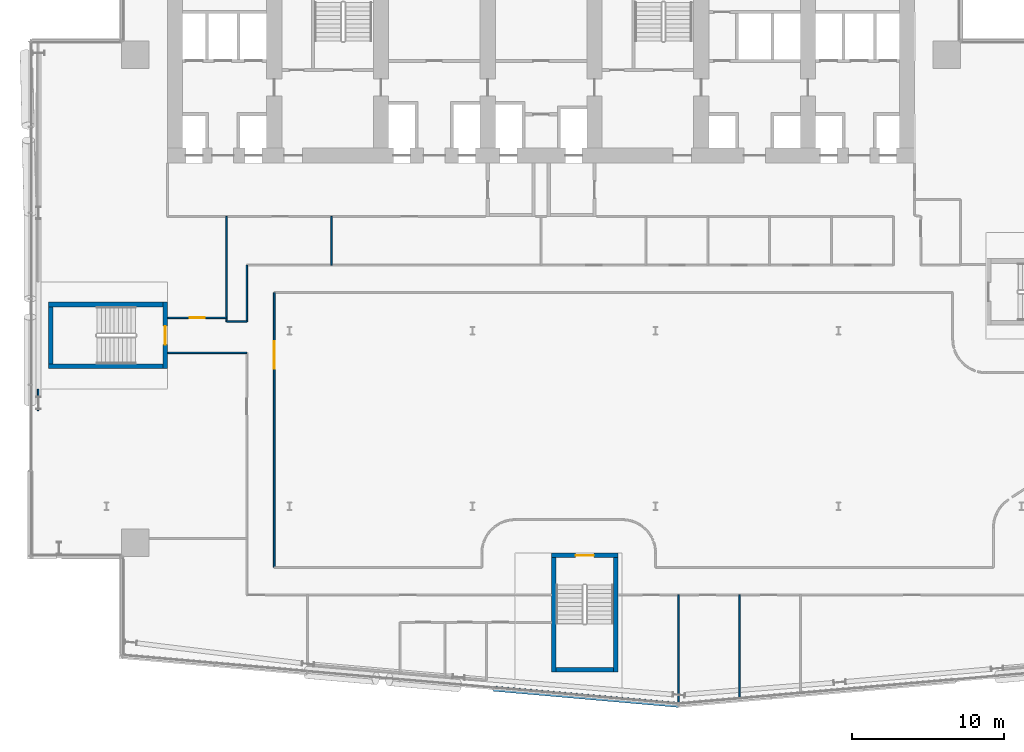
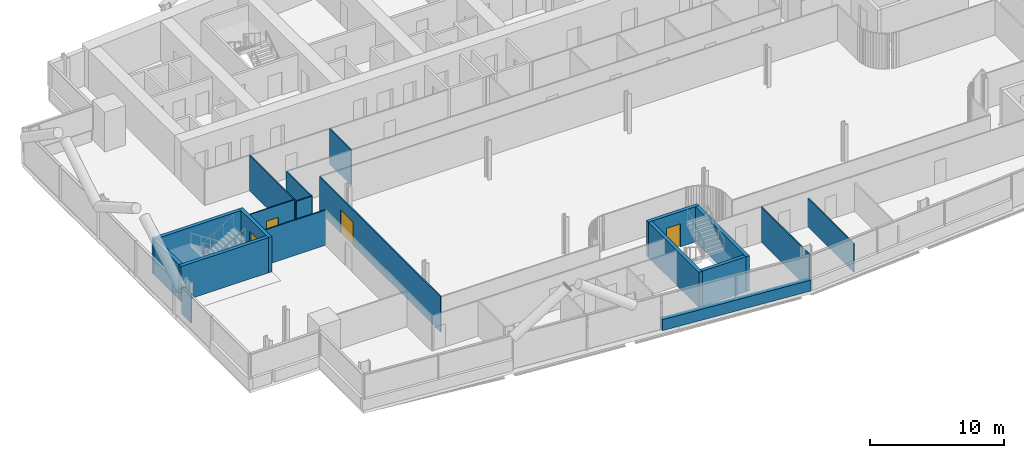
# One storey, part 15 of 30: 19 walls, 4 doors, 4 openings.
"""IFC4 building model written with IfcOpenShell, lengths in metres."""

from ifc_helpers import new_model, si_unit, direction, frame, frame_2d, origin, place, context, subcontext, project, spatial, rectangle, extrude, material, layer, layer_set, type_object, element, fill, save


model = new_model("IFC4")

# Units and contexts
model_context = context("Model", 3, precision=1e-05, world=origin(), true_north=direction((0.0, 1.0)))
body_context = subcontext(model_context, "Body", "Model", "MODEL_VIEW")
ifc_project = project(units=[si_unit("LENGTHUNIT", "METRE"), si_unit("AREAUNIT", "SQUARE_METRE"), si_unit("VOLUMEUNIT", "CUBIC_METRE"), si_unit("PLANEANGLEUNIT", "RADIAN"), si_unit("MASSUNIT", "GRAM", prefix="KILO")], contexts=[model_context])

# Site, building, storey
site_placement = place(None, origin())
site = spatial("IfcSite", under=ifc_project, at=site_placement, CompositionType="ELEMENT")
building_placement = place(site_placement, origin())
building = spatial("IfcBuilding", under=site, at=building_placement, Name="Wharfspan Tower", CompositionType="ELEMENT")
storey_placement = place(building_placement, frame((0.0, 0.0, 100.300049)))
storey = spatial("IfcBuildingStorey", under=building, at=storey_placement, Name="L22", CompositionType="ELEMENT", Elevation=100.300049)

# Wall
ifc_material_1 = material(Name="Gypsum board on steel studs", Category="steel")
ifc_layer_1 = layer(ifc_material_1, 0.100098)
ifc_layer_set_1 = layer_set([ifc_layer_1], Name="Gypsum board on steel studs")
wall_type_1 = type_object("IfcWallType", Name="Compartment wall 100 EI 60", PredefinedType="PARTITIONING", material=ifc_layer_set_1)
wall_1_placement = place(storey_placement, frame((16.02002, 21.550049, 0.0), z_axis=(0.0, 0.0, 1.0), x_axis=(1.0, 0.0, 0.0)))
element("IfcWall", 1, at=wall_1_placement, inside=storey, type_object=wall_type_1, Name="Partition L22.w006", PredefinedType="PARTITIONING", context=body_context, shape_type="SweptSolid", body=[
    extrude(rectangle(XDim=5.179932, YDim=0.100098, at=frame_2d((2.589844, 0.0))), origin(), (0.0, 0.0, 1.0), 3.199951),
])

# Wall, opening, door
wall_2_placement = place(storey_placement, frame((16.02002, 23.850098, 0.0), z_axis=(0.0, 0.0, 1.0), x_axis=(1.0, 0.0, 0.0)))
wall_2 = element("IfcWall", 2, at=wall_2_placement, inside=storey, type_object=wall_type_1, Name="Partition L22.w007", PredefinedType="PARTITIONING", context=body_context, shape_type="SweptSolid", body=[
    extrude(rectangle(XDim=3.85498, YDim=0.100098, at=frame_2d((1.92749, 0.0))), origin(), (0.0, 0.0, 1.0), 3.199951),
])
opening_1_placement = place(wall_2_placement, frame((1.435059, 0.0, 0.0)))
opening_1 = element("IfcOpeningElement", 3, at=opening_1_placement, cuts=wall_2, Name="Opening B2-13", PredefinedType="OPENING", context=body_context, shape_type="SweptSolid", body=[
    extrude(rectangle(XDim=1.0, YDim=2.100098, at=frame_2d((0.5, 1.050049))), frame((0.0, 0.060059, 0.0), z_axis=(0.0, -1.0, 0.0), x_axis=(1.0, 0.0, 0.0)), (0.0, 0.0, 1.0), 0.120117),
])
ifc_material_2 = material(Name="Fire-rated timber door leaf in steel frame", Category="steel")
door_type_1 = type_object("IfcDoorType", Name="Door 1000 FD30S Right", OperationType="SINGLE_SWING_RIGHT", PredefinedType="DOOR", material=ifc_material_2)
door_1_placement = place(opening_1_placement, origin())
door_1 = element("IfcDoor", 4, at=door_1_placement, inside=storey, type_object=door_type_1, Name="Door B2-13", OperationType="SINGLE_SWING_RIGHT", OverallHeight=2.100098, OverallWidth=1.0, PredefinedType="DOOR", context=body_context, shape_type="SweptSolid", body=[
    extrude(rectangle(XDim=1.0, YDim=2.100098, at=frame_2d((0.5, 1.050049))), frame((0.0, 0.024902, 0.0), z_axis=(0.0, -1.0, 0.0), x_axis=(1.0, 0.0, 0.0)), (0.0, 0.0, 1.0), 0.050049),
])
fill(opening_1, door_1)

# Walls
wall_3_placement = place(storey_placement, frame((19.875, 23.600098, 0.0), z_axis=(0.0, 0.0, 1.0), x_axis=(0.0, 1.0, 0.0)))
element("IfcWall", 5, at=wall_3_placement, inside=storey, type_object=wall_type_1, Name="Partition L22.w008", PredefinedType="PARTITIONING", context=body_context, shape_type="SweptSolid", body=[
    extrude(rectangle(XDim=6.899902, YDim=0.100098, at=frame_2d((3.449951, 0.0))), origin(), (0.0, 0.0, 1.0), 3.199951),
])
wall_4_placement = place(storey_placement, frame((19.875, 23.600098, 0.0), z_axis=(0.0, 0.0, 1.0), x_axis=(1.0, 0.0, 0.0)))
element("IfcWall", 6, at=wall_4_placement, inside=storey, type_object=wall_type_1, Name="Partition L22.w009", PredefinedType="PARTITIONING", context=body_context, shape_type="SweptSolid", body=[
    extrude(rectangle(XDim=1.324951, YDim=0.100098, at=frame_2d((0.662598, 0.0))), origin(), (0.0, 0.0, 1.0), 3.199951),
])
wall_5_placement = place(storey_placement, frame((21.199951, 23.600098, 0.0), z_axis=(0.0, 0.0, 1.0), x_axis=(0.0, 1.0, 0.0)))
element("IfcWall", 7, at=wall_5_placement, inside=storey, type_object=wall_type_1, Name="Partition L22.w012", PredefinedType="PARTITIONING", context=body_context, shape_type="SweptSolid", body=[
    extrude(rectangle(XDim=3.699951, YDim=0.100098, at=frame_2d((1.850098, 0.0))), origin(), (0.0, 0.0, 1.0), 3.199951),
])

# Wall, opening, door
wall_6_placement = place(storey_placement, frame((23.0, 7.485107, 0.0), z_axis=(0.0, 0.0, 1.0), x_axis=(0.0, 1.0, 0.0)))
wall_6 = element("IfcWall", 8, at=wall_6_placement, inside=storey, type_object=wall_type_1, Name="Partition L22.w014", PredefinedType="PARTITIONING", context=body_context, shape_type="SweptSolid", body=[
    extrude(rectangle(XDim=18.014893, YDim=0.100098, at=frame_2d((9.007324, 0.0))), origin(), (0.0, 0.0, 1.0), 3.199951),
])
opening_2_placement = place(wall_6_placement, frame((13.028809, 0.0, 0.0)))
opening_2 = element("IfcOpeningElement", 9, at=opening_2_placement, cuts=wall_6, Name="Opening B2-12", PredefinedType="OPENING", context=body_context, shape_type="SweptSolid", body=[
    extrude(rectangle(XDim=1.800049, YDim=2.100098, at=frame_2d((0.899902, 1.050049))), frame((0.0, 0.060059, 0.0), z_axis=(0.0, -1.0, 0.0), x_axis=(1.0, 0.0, 0.0)), (0.0, 0.0, 1.0), 0.120117),
])
door_type_2 = type_object("IfcDoorType", Name="Door 1800 FD30S Double", OperationType="DOUBLE_DOOR_SINGLE_SWING", PredefinedType="DOOR", material=ifc_material_2)
door_2_placement = place(opening_2_placement, origin())
door_2 = element("IfcDoor", 10, at=door_2_placement, inside=storey, type_object=door_type_2, Name="Door B2-12", OperationType="DOUBLE_DOOR_SINGLE_SWING", OverallHeight=2.100098, OverallWidth=1.800049, PredefinedType="DOOR", context=body_context, shape_type="SweptSolid", body=[
    extrude(rectangle(XDim=1.800049, YDim=2.100098, at=frame_2d((0.899902, 1.050049))), frame((0.0, 0.024902, 0.0), z_axis=(0.0, -1.0, 0.0), x_axis=(1.0, 0.0, 0.0)), (0.0, 0.0, 1.0), 0.050049),
])
fill(opening_2, door_2)

# Walls
wall_7_placement = place(storey_placement, frame((26.75, 27.300049, 0.0), z_axis=(0.0, 0.0, 1.0), x_axis=(0.0, 1.0, 0.0)))
element("IfcWall", 11, at=wall_7_placement, inside=storey, type_object=wall_type_1, Name="Partition L22.w018", PredefinedType="PARTITIONING", context=body_context, shape_type="SweptSolid", body=[
    extrude(rectangle(XDim=3.199951, YDim=0.100098, at=frame_2d((1.600098, 0.0))), origin(), (0.0, 0.0, 1.0), 3.199951),
])
wall_8_placement = place(storey_placement, frame((49.5, -1.498291, 0.0), z_axis=(0.0, 0.0, 1.0), x_axis=(0.0, 1.0, 0.0)))
element("IfcWall", 12, at=wall_8_placement, inside=storey, type_object=wall_type_1, Name="Partition L22.w069", PredefinedType="PARTITIONING", context=body_context, shape_type="SweptSolid", body=[
    extrude(rectangle(XDim=7.178223, YDim=0.100098, at=frame_2d((3.589111, 0.0))), origin(), (0.0, 0.0, 1.0), 3.199951),
])
wall_9_placement = place(storey_placement, frame((53.5, -1.148193, 0.0), z_axis=(0.0, 0.0, 1.0), x_axis=(0.0, 1.0, 0.0)))
element("IfcWall", 13, at=wall_9_placement, inside=storey, type_object=wall_type_1, Name="Partition L22.w071", PredefinedType="PARTITIONING", context=body_context, shape_type="SweptSolid", body=[
    extrude(rectangle(XDim=6.828125, YDim=0.100098, at=frame_2d((3.414062, 0.0))), origin(), (0.0, 0.0, 1.0), 2.579834),
])
ifc_layer_2 = layer(ifc_material_1, 0.100098)
ifc_layer_set_2 = layer_set([ifc_layer_2], Name="Gypsum board on steel studs")
wall_type_2 = type_object("IfcWallType", Name="Partition 100", PredefinedType="PARTITIONING", material=ifc_layer_set_2)
wall_10_placement = place(storey_placement, frame((7.51001, 17.764893, 0.0), z_axis=(0.0, 0.0, 1.0), x_axis=(0.0, 1.0, 0.0)))
element("IfcWall", 14, at=wall_10_placement, inside=storey, type_object=wall_type_2, Name="Partition L22.w001", PredefinedType="PARTITIONING", context=body_context, shape_type="SweptSolid", body=[
    extrude(rectangle(XDim=1.415039, YDim=0.100098, at=frame_2d((0.70752, 0.0))), origin(), (0.0, 0.0, 1.0), 2.579834),
])
ifc_material_3 = material(Name="Concrete C40/50", Category="concrete")
ifc_layer_3 = layer(ifc_material_3, 0.350098)
ifc_layer_set_3 = layer_set([ifc_layer_3], Name="Concrete C40/50")
wall_type_3 = type_object("IfcWallType", Name="SPANDREL EXPOSED CONCRETE 350", PredefinedType="SOLIDWALL", material=ifc_layer_set_3)
wall_11_placement = place(storey_placement, frame((37.362793, -0.461426, 0.0), z_axis=(0.0, 0.0, 1.0), x_axis=(0.996194, -0.087159, 0.0)))
element("IfcWall", 15, at=wall_11_placement, inside=storey, type_object=wall_type_3, Name="Spandrel upstand L22 S1 2", PredefinedType="SOLIDWALL", context=body_context, shape_type="SweptSolid", body=[
    extrude(rectangle(XDim=12.19873, YDim=0.350098, at=frame_2d((6.099365, 0.0))), origin(), (0.0, 0.0, 1.0), 1.0),
])

# Wall, opening, door
ifc_layer_4 = layer(ifc_material_3, 0.300049)
ifc_layer_set_4 = layer_set([ifc_layer_4], Name="Concrete C40/50")
wall_type_4 = type_object("IfcWallType", Name="Stair core wall 300", PredefinedType="SHEAR", material=ifc_layer_set_4)
wall_12_placement = place(storey_placement, frame((15.850098, 20.524902, 0.0), z_axis=(0.0, 0.0, 1.0), x_axis=(0.0, 1.0, 0.0)))
wall_12 = element("IfcWall", 16, at=wall_12_placement, inside=storey, type_object=wall_type_4, Name="ST3 stair enclosure wall L22", PredefinedType="SHEAR", context=body_context, shape_type="SweptSolid", body=[
    extrude(rectangle(XDim=4.350098, YDim=0.300049, at=frame_2d((2.175049, 0.0))), origin(), (0.0, 0.0, 1.0), 3.199951),
])
opening_3_placement = place(wall_12_placement, frame((1.574951, 0.0, 0.0)))
opening_3 = element("IfcOpeningElement", 17, at=opening_3_placement, cuts=wall_12, Name="Opening SD3.L22", PredefinedType="OPENING", context=body_context, shape_type="SweptSolid", body=[
    extrude(rectangle(XDim=1.199951, YDim=2.100098, at=frame_2d((0.600098, 1.050049))), frame((0.0, 0.159912, 0.0), z_axis=(0.0, -1.0, 0.0), x_axis=(1.0, 0.0, 0.0)), (0.0, 0.0, 1.0), 0.320068),
])
ifc_material_4 = material(Name="Steel door leaf", Category="steel")
door_type_3 = type_object("IfcDoorType", Name="Stair door 1200x2100", OperationType="SINGLE_SWING_LEFT", PredefinedType="DOOR", material=ifc_material_4)
door_3_placement = place(opening_3_placement, origin())
door_3 = element("IfcDoor", 18, at=door_3_placement, inside=storey, type_object=door_type_3, Name="sd:L22:ST3z2", OperationType="SINGLE_SWING_RIGHT", OverallHeight=2.100098, OverallWidth=1.199951, PredefinedType="DOOR", context=body_context, shape_type="SweptSolid", body=[
    extrude(rectangle(XDim=1.199951, YDim=2.100098, at=frame_2d((0.600098, 1.050049))), frame((0.0, 0.024902, 0.0), z_axis=(0.0, -1.0, 0.0), x_axis=(1.0, 0.0, 0.0)), (0.0, 0.0, 1.0), 0.050049),
])
fill(opening_3, door_3)

wall_13_placement = place(storey_placement, frame((41.185303, 8.26709, 0.0), z_axis=(0.0, 0.0, 1.0), x_axis=(1.0, 0.0, 0.0)))
wall_13 = element("IfcWall", 19, at=wall_13_placement, inside=storey, type_object=wall_type_4, Name="ST4 stair enclosure wall L22", PredefinedType="SHEAR", context=body_context, shape_type="SweptSolid", body=[
    extrude(rectangle(XDim=4.350098, YDim=0.300049, at=frame_2d((2.175049, 0.0))), origin(), (0.0, 0.0, 1.0), 3.199951),
])
opening_4_placement = place(wall_13_placement, frame((1.574951, 0.0, 0.0)))
opening_4 = element("IfcOpeningElement", 20, at=opening_4_placement, cuts=wall_13, Name="Opening SD4.L22", PredefinedType="OPENING", context=body_context, shape_type="SweptSolid", body=[
    extrude(rectangle(XDim=1.199951, YDim=2.100098, at=frame_2d((0.600098, 1.050049))), frame((0.0, 0.159912, 0.0), z_axis=(0.0, -1.0, 0.0), x_axis=(1.0, 0.0, 0.0)), (0.0, 0.0, 1.0), 0.320068),
])
door_4_placement = place(opening_4_placement, origin())
door_4 = element("IfcDoor", 21, at=door_4_placement, inside=storey, type_object=door_type_3, Name="sd:L22:ST4z2", OperationType="SINGLE_SWING_RIGHT", OverallHeight=2.100098, OverallWidth=1.199951, PredefinedType="DOOR", context=body_context, shape_type="SweptSolid", body=[
    extrude(rectangle(XDim=1.199951, YDim=2.100098, at=frame_2d((0.600098, 1.050049))), frame((0.0, 0.024902, 0.0), z_axis=(0.0, -1.0, 0.0), x_axis=(1.0, 0.0, 0.0)), (0.0, 0.0, 1.0), 0.050049),
])
fill(opening_4, door_4)

# Walls
for number, where, z_axis, x_axis, name in (
    (22, (8.199951, 20.675049, 0.0), (0.0, 0.0, 1.0), (1.0, 0.0, 0.0), "ST3 stair enclosure wall L22"),
    (23, (8.199951, 24.725098, 0.0), (0.0, 0.0, 1.0), (1.0, 0.0, 0.0), "ST3 stair enclosure wall L22"),
):
    element("IfcWall", number, at=place(storey_placement, frame(where, z_axis=z_axis, x_axis=x_axis)), inside=storey, type_object=wall_type_4, Name=name, PredefinedType="SHEAR", context=body_context, shape_type="SweptSolid", body=[
        extrude(rectangle(XDim=7.5, YDim=0.300049, at=frame_2d((3.75, 0.0))), origin(), (0.0, 0.0, 1.0), 3.199951),
    ])
wall_14_placement = place(storey_placement, frame((8.350098, 20.824951, 0.0), z_axis=(0.0, 0.0, 1.0), x_axis=(0.0, 1.0, 0.0)))
element("IfcWall", 24, at=wall_14_placement, inside=storey, type_object=wall_type_4, Name="ST3 stair enclosure wall L22", PredefinedType="SHEAR", context=body_context, shape_type="SweptSolid", body=[
    extrude(rectangle(XDim=3.75, YDim=0.300049, at=frame_2d((1.875, 0.0))), origin(), (0.0, 0.0, 1.0), 3.199951),
])
for number, where, z_axis, x_axis, name in (
    (25, (41.335205, 0.616943, 0.0), (0.0, 0.0, 1.0), (0.0, 1.0, 0.0), "ST4 stair enclosure wall L22"),
    (26, (45.385254, 0.616943, 0.0), (0.0, 0.0, 1.0), (0.0, 1.0, 0.0), "ST4 stair enclosure wall L22"),
):
    element("IfcWall", number, at=place(storey_placement, frame(where, z_axis=z_axis, x_axis=x_axis)), inside=storey, type_object=wall_type_4, Name=name, PredefinedType="SHEAR", context=body_context, shape_type="SweptSolid", body=[
        extrude(rectangle(XDim=7.5, YDim=0.300049, at=frame_2d((3.75, 0.0))), origin(), (0.0, 0.0, 1.0), 3.199951),
    ])
wall_15_placement = place(storey_placement, frame((41.485352, 0.76709, 0.0), z_axis=(0.0, 0.0, 1.0), x_axis=(1.0, 0.0, 0.0)))
element("IfcWall", 27, at=wall_15_placement, inside=storey, type_object=wall_type_4, Name="ST4 stair enclosure wall L22", PredefinedType="SHEAR", context=body_context, shape_type="SweptSolid", body=[
    extrude(rectangle(XDim=3.75, YDim=0.300049, at=frame_2d((1.875, 0.0))), origin(), (0.0, 0.0, 1.0), 3.199951),
])

save(model, "model.ifc")
